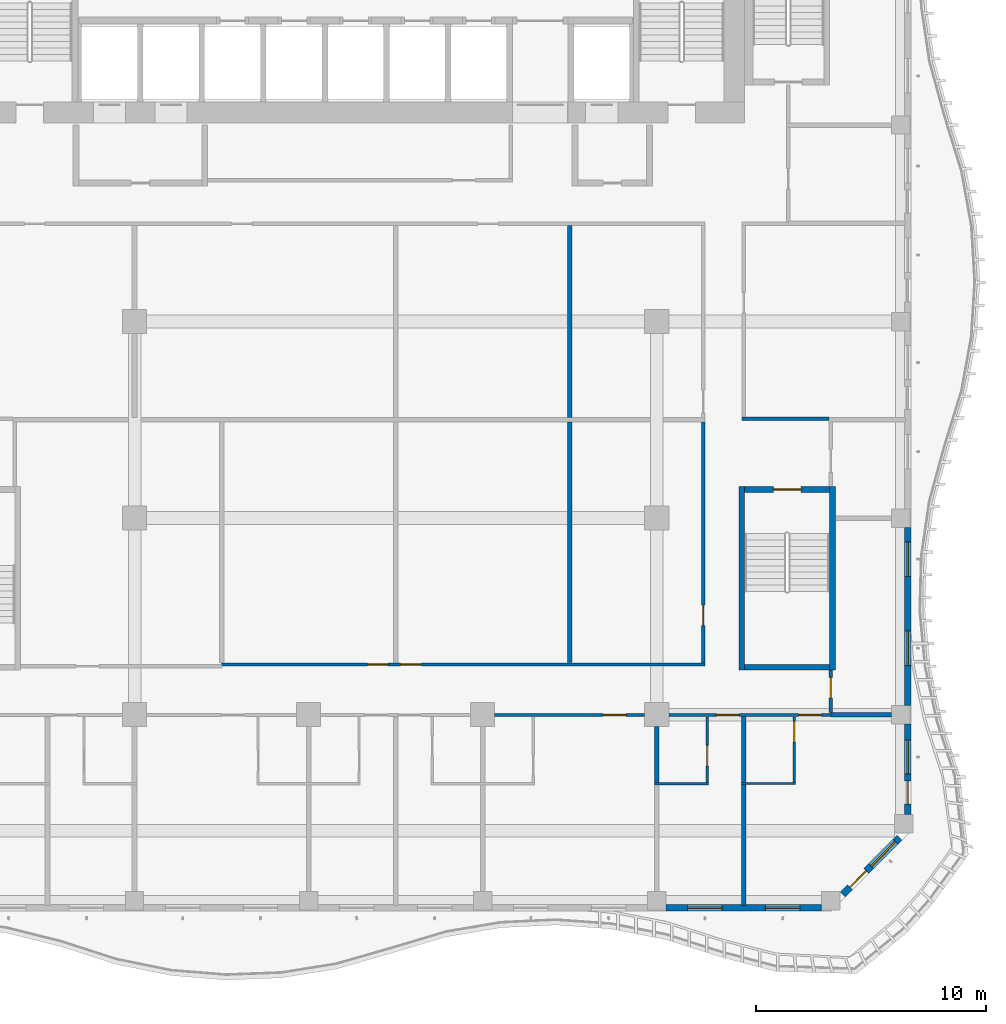
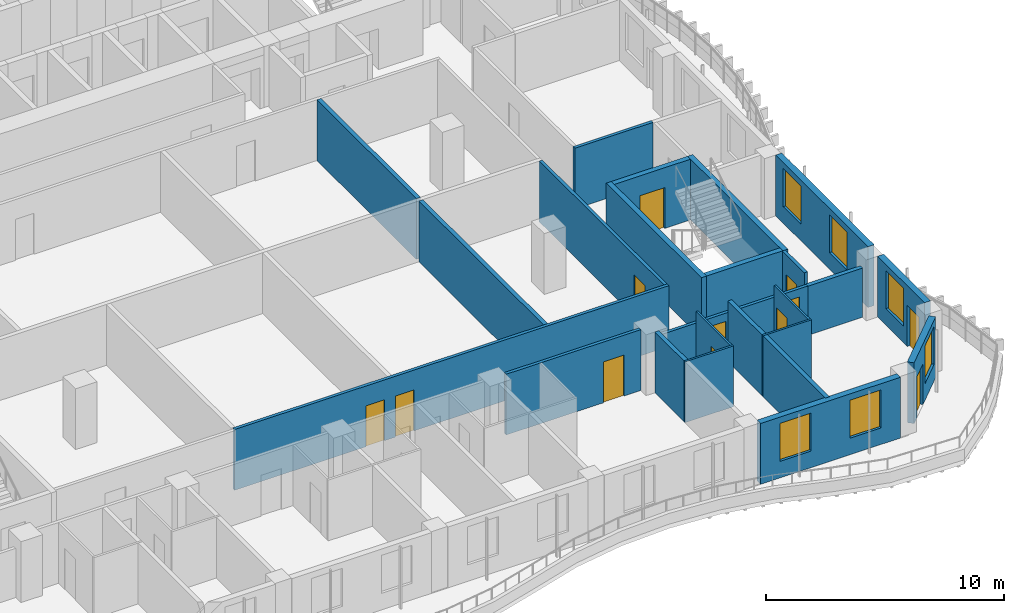
# One storey, part 5 of 23: 24 walls, 12 doors, 6 windows, 18 openings.
"""IFC4 building model written with IfcOpenShell, lengths in metres."""

from ifc_helpers import new_model, si_unit, direction, frame, frame_2d, origin, place, context, subcontext, project, spatial, rectangle, extrude, source, transform, mapped, material, layer, layer_set, type_object, element, fill, save


model = new_model("IFC4")

# Units and contexts
model_context = context("Model", 3, precision=1e-05, world=origin(), true_north=direction((0.0, 1.0)))
body_context = subcontext(model_context, "Body", "Model", "MODEL_VIEW")
ifc_project = project(units=[si_unit("LENGTHUNIT", "METRE"), si_unit("AREAUNIT", "SQUARE_METRE"), si_unit("VOLUMEUNIT", "CUBIC_METRE"), si_unit("PLANEANGLEUNIT", "RADIAN"), si_unit("MASSUNIT", "GRAM", prefix="KILO")], contexts=[model_context])

# Site, building, storey
site_placement = place(None, origin())
site = spatial("IfcSite", under=ifc_project, at=site_placement, CompositionType="ELEMENT")
building_placement = place(site_placement, origin())
building = spatial("IfcBuilding", under=site, at=building_placement, Name="Kilnfold Tower and Market Hall", CompositionType="ELEMENT")
storey_placement = place(building_placement, frame((0.0, 0.0, 178.699951171875)))
storey = spatial("IfcBuildingStorey", under=building, at=storey_placement, Name="L42", CompositionType="ELEMENT", Elevation=178.699951171875)

# Wall, opening, door
ifc_material_1 = material(Name="Gypsum board on steel studs", Category="steel")
ifc_layer_1 = layer(ifc_material_1, 0.14990234375)
ifc_layer_set_1 = layer_set([ifc_layer_1], Name="Gypsum board on steel studs")
wall_type_1 = type_object("IfcWallType", Name="WALL CORRIDOR 150", PredefinedType="PARTITIONING", material=ifc_layer_set_1)
wall_1_placement = place(storey_placement, frame((7.10791015625, -17.699951171875, 0.0), z_axis=(0.0, 0.0, 1.0), x_axis=(1.0, 0.0, 0.0)))
wall_1 = element("IfcWall", 1, at=wall_1_placement, inside=storey, type_object=wall_type_1, Name="Partition LY27.5", PredefinedType="PARTITIONING", context=body_context, shape_type="SweptSolid", body=[
    extrude(rectangle(XDim=6.5341796875, YDim=0.14990234375, at=frame_2d((3.26708984375, 0.0))), origin(), (0.0, 0.0, 1.0), 3.1201171875),
])
opening_1_placement = place(wall_1_placement, frame((4.721923828125, 0.0, 0.0)))
opening_1 = element("IfcOpeningElement", 2, at=opening_1_placement, cuts=wall_1, Name="Opening D1", PredefinedType="OPENING", context=body_context, shape_type="SweptSolid", body=[
    extrude(rectangle(XDim=1.0, YDim=2.10009765625, at=frame_2d((0.5, 1.050048828125))), frame((0.0, 0.0849609375, 0.0), z_axis=(0.0, -1.0, 0.0), x_axis=(1.0, 0.0, 0.0)), (0.0, 0.0, 1.0), 0.169921875),
])
ifc_material_2 = material(Name="Timber veneer door leaf in steel frame", Category="steel")
door_type_1 = type_object("IfcDoorType", Name="DOOR ENTRY 1000 X2100", OperationType="NOTDEFINED", PredefinedType="DOOR", material=ifc_material_2)
door_1_placement = place(opening_1_placement, origin())
door_1 = element("IfcDoor", 3, at=door_1_placement, inside=storey, type_object=door_type_1, Name="Door D1", OperationType="SINGLE_SWING_LEFT", OverallHeight=2.10009765625, OverallWidth=1.0, PredefinedType="DOOR", context=body_context, shape_type="SweptSolid", body=[
    extrude(rectangle(XDim=1.0, YDim=2.10009765625, at=frame_2d((0.5, 1.050048828125))), frame((0.0, 0.02490234375, 0.0), z_axis=(0.0, -1.0, 0.0), x_axis=(1.0, 0.0, 0.0)), (0.0, 0.0, 1.0), 0.050048828125),
])
fill(opening_1, door_1)

# Wall, openings, doors
wall_2_placement = place(storey_placement, frame((14.69189453125, -17.699951171875, 0.0), z_axis=(0.0, 0.0, 1.0), x_axis=(1.0, 0.0, 0.0)))
wall_2 = element("IfcWall", 4, at=wall_2_placement, inside=storey, type_object=wall_type_1, Name="Partition LY27.6", PredefinedType="PARTITIONING", context=body_context, shape_type="SweptSolid", body=[
    extrude(rectangle(XDim=7.05810546875, YDim=0.14990234375, at=frame_2d((3.529052734375, 0.0))), origin(), (0.0, 0.0, 1.0), 2.52001953125),
])
opening_2_placement = place(wall_2_placement, frame((2.076904296875, 0.0, 0.0)))
opening_2 = element("IfcOpeningElement", 5, at=opening_2_placement, cuts=wall_2, Name="Opening D1", PredefinedType="OPENING", context=body_context, shape_type="SweptSolid", body=[
    extrude(rectangle(XDim=1.0, YDim=2.10009765625, at=frame_2d((0.5, 1.050048828125))), frame((0.0, 0.0849609375, 0.0), z_axis=(0.0, -1.0, 0.0), x_axis=(1.0, 0.0, 0.0)), (0.0, 0.0, 1.0), 0.169921875),
])
opening_3_placement = place(wall_2_placement, frame((5.656982421875, 0.0, 0.0)))
opening_3 = element("IfcOpeningElement", 6, at=opening_3_placement, cuts=wall_2, Name="Opening D1", PredefinedType="OPENING", context=body_context, shape_type="SweptSolid", body=[
    extrude(rectangle(XDim=1.0, YDim=2.10009765625, at=frame_2d((0.5, 1.050048828125))), frame((0.0, 0.0849609375, 0.0), z_axis=(0.0, -1.0, 0.0), x_axis=(1.0, 0.0, 0.0)), (0.0, 0.0, 1.0), 0.169921875),
])
door_2_placement = place(opening_2_placement, origin())
door_2 = element("IfcDoor", 7, at=door_2_placement, inside=storey, type_object=door_type_1, Name="Door D1", OperationType="SINGLE_SWING_LEFT", OverallHeight=2.10009765625, OverallWidth=1.0, PredefinedType="DOOR", context=body_context, shape_type="SweptSolid", body=[
    extrude(rectangle(XDim=1.0, YDim=2.10009765625, at=frame_2d((0.5, 1.050048828125))), frame((0.0, 0.02490234375, 0.0), z_axis=(0.0, -1.0, 0.0), x_axis=(1.0, 0.0, 0.0)), (0.0, 0.0, 1.0), 0.050048828125),
])
fill(opening_2, door_2)
door_3_placement = place(opening_3_placement, origin())
door_3 = element("IfcDoor", 8, at=door_3_placement, inside=storey, type_object=door_type_1, Name="Door D1", OperationType="SINGLE_SWING_LEFT", OverallHeight=2.10009765625, OverallWidth=1.0, PredefinedType="DOOR", context=body_context, shape_type="SweptSolid", body=[
    extrude(rectangle(XDim=1.0, YDim=2.10009765625, at=frame_2d((0.5, 1.050048828125))), frame((0.0, 0.02490234375, 0.0), z_axis=(0.0, -1.0, 0.0), x_axis=(1.0, 0.0, 0.0)), (0.0, 0.0, 1.0), 0.050048828125),
])
fill(opening_3, door_3)

# Wall
wall_3_placement = place(storey_placement, frame((17.884033203125, -4.800048828125, 0.0), z_axis=(0.0, 0.0, 1.0), x_axis=(1.0, 0.0, 0.0)))
element("IfcWall", 9, at=wall_3_placement, inside=storey, type_object=wall_type_1, Name="Partition LY27.36", PredefinedType="PARTITIONING", context=body_context, shape_type="SweptSolid", body=[
    extrude(rectangle(XDim=3.79296875, YDim=0.14990234375, at=frame_2d((1.896484375, 0.0))), origin(), (0.0, 0.0, 1.0), 3.1201171875),
])

# Wall, opening, door
wall_4_placement = place(storey_placement, frame((21.75, -17.597900390625, 0.0), z_axis=(0.0, 0.0, 1.0), x_axis=(0.0, 1.0, 0.0)))
wall_4 = element("IfcWall", 10, at=wall_4_placement, inside=storey, type_object=wall_type_1, Name="Partition LY27.38", PredefinedType="PARTITIONING", context=body_context, shape_type="SweptSolid", body=[
    extrude(rectangle(XDim=1.847900390625, YDim=0.14990234375, at=frame_2d((0.923828125, 0.0))), origin(), (0.0, 0.0, 1.0), 3.1201171875),
])
opening_4_placement = place(wall_4_placement, frame((0.637939453125, 0.0, 0.0)))
opening_4 = element("IfcOpeningElement", 11, at=opening_4_placement, cuts=wall_4, Name="Opening D2", PredefinedType="OPENING", context=body_context, shape_type="SweptSolid", body=[
    extrude(rectangle(XDim=0.89990234375, YDim=2.10009765625, at=frame_2d((0.449951171875, 1.050048828125))), frame((0.0, 0.0849609375, 0.0), z_axis=(0.0, -1.0, 0.0), x_axis=(1.0, 0.0, 0.0)), (0.0, 0.0, 1.0), 0.169921875),
])
ifc_material_3 = material(Name="Timber veneer door leaf in steel frame", Category="steel")
door_type_2 = type_object("IfcDoorType", Name="DOOR ROOM 900 X2100", OperationType="NOTDEFINED", PredefinedType="DOOR", material=ifc_material_3)
door_4_placement = place(opening_4_placement, origin())
door_4 = element("IfcDoor", 12, at=door_4_placement, inside=storey, type_object=door_type_2, Name="Door D2", OperationType="SINGLE_SWING_LEFT", OverallHeight=2.10009765625, OverallWidth=0.89990234375, PredefinedType="DOOR", context=body_context, shape_type="SweptSolid", body=[
    extrude(rectangle(XDim=0.89990234375, YDim=2.10009765625, at=frame_2d((0.449951171875, 1.050048828125))), frame((0.0, 0.02490234375, 0.0), z_axis=(0.0, -1.0, 0.0), x_axis=(1.0, 0.0, 0.0)), (0.0, 0.0, 1.0), 0.050048828125),
])
fill(opening_4, door_4)

# Wall, openings, doors
wall_5_placement = place(storey_placement, frame((-4.802001953125, -15.5, 0.0), z_axis=(0.0, 0.0, 1.0), x_axis=(1.0, 0.0, 0.0)))
wall_5 = element("IfcWall", 13, at=wall_5_placement, inside=storey, type_object=wall_type_1, Name="Partition LY27.48", PredefinedType="PARTITIONING", context=body_context, shape_type="SweptSolid", body=[
    extrude(rectangle(XDim=21.076904296875, YDim=0.14990234375, at=frame_2d((10.53857421875, 0.0))), origin(), (0.0, 0.0, 1.0), 3.1201171875),
])
opening_5_placement = place(wall_5_placement, frame((6.3720703125, 0.0, 0.0)))
opening_5 = element("IfcOpeningElement", 14, at=opening_5_placement, cuts=wall_5, Name="Opening D2", PredefinedType="OPENING", context=body_context, shape_type="SweptSolid", body=[
    extrude(rectangle(XDim=0.89990234375, YDim=2.10009765625, at=frame_2d((0.449951171875, 1.050048828125))), frame((0.0, 0.0849609375, 0.0), z_axis=(0.0, -1.0, 0.0), x_axis=(1.0, 0.0, 0.0)), (0.0, 0.0, 1.0), 0.169921875),
])
opening_6_placement = place(wall_5_placement, frame((7.81494140625, 0.0, 0.0)))
opening_6 = element("IfcOpeningElement", 15, at=opening_6_placement, cuts=wall_5, Name="Opening D2", PredefinedType="OPENING", context=body_context, shape_type="SweptSolid", body=[
    extrude(rectangle(XDim=0.89990234375, YDim=2.10009765625, at=frame_2d((0.449951171875, 1.050048828125))), frame((0.0, 0.0849609375, 0.0), z_axis=(0.0, -1.0, 0.0), x_axis=(1.0, 0.0, 0.0)), (0.0, 0.0, 1.0), 0.169921875),
])
door_5_placement = place(opening_5_placement, origin())
door_5 = element("IfcDoor", 16, at=door_5_placement, inside=storey, type_object=door_type_2, Name="Door D2", OperationType="SINGLE_SWING_LEFT", OverallHeight=2.10009765625, OverallWidth=0.89990234375, PredefinedType="DOOR", context=body_context, shape_type="SweptSolid", body=[
    extrude(rectangle(XDim=0.89990234375, YDim=2.10009765625, at=frame_2d((0.449951171875, 1.050048828125))), frame((0.0, 0.02490234375, 0.0), z_axis=(0.0, -1.0, 0.0), x_axis=(1.0, 0.0, 0.0)), (0.0, 0.0, 1.0), 0.050048828125),
])
fill(opening_5, door_5)
door_6_placement = place(opening_6_placement, origin())
door_6 = element("IfcDoor", 17, at=door_6_placement, inside=storey, type_object=door_type_2, Name="Door D2", OperationType="SINGLE_SWING_LEFT", OverallHeight=2.10009765625, OverallWidth=0.89990234375, PredefinedType="DOOR", context=body_context, shape_type="SweptSolid", body=[
    extrude(rectangle(XDim=0.89990234375, YDim=2.10009765625, at=frame_2d((0.449951171875, 1.050048828125))), frame((0.0, 0.02490234375, 0.0), z_axis=(0.0, -1.0, 0.0), x_axis=(1.0, 0.0, 0.0)), (0.0, 0.0, 1.0), 0.050048828125),
])
fill(opening_6, door_6)

# Wall, opening, door
wall_6_placement = place(storey_placement, frame((16.199951171875, -15.425048828125, 0.0), z_axis=(0.0, 0.0, 1.0), x_axis=(0.0, 1.0, 0.0)))
wall_6 = element("IfcWall", 18, at=wall_6_placement, inside=storey, type_object=wall_type_1, Name="Partition LY27.49", PredefinedType="PARTITIONING", context=body_context, shape_type="SweptSolid", body=[
    extrude(rectangle(XDim=10.491943359375, YDim=0.14990234375, at=frame_2d((5.24609375, 0.0))), origin(), (0.0, 0.0, 1.0), 3.1201171875),
])
opening_7_placement = place(wall_6_placement, frame((1.614013671875, 0.0, 0.0)))
opening_7 = element("IfcOpeningElement", 19, at=opening_7_placement, cuts=wall_6, Name="Opening D2", PredefinedType="OPENING", context=body_context, shape_type="SweptSolid", body=[
    extrude(rectangle(XDim=0.89990234375, YDim=2.10009765625, at=frame_2d((0.449951171875, 1.050048828125))), frame((0.0, 0.0849609375, 0.0), z_axis=(0.0, -1.0, 0.0), x_axis=(1.0, 0.0, 0.0)), (0.0, 0.0, 1.0), 0.169921875),
])
door_7_placement = place(opening_7_placement, origin())
door_7 = element("IfcDoor", 20, at=door_7_placement, inside=storey, type_object=door_type_2, Name="Door D2", OperationType="SINGLE_SWING_RIGHT", OverallHeight=2.10009765625, OverallWidth=0.89990234375, PredefinedType="DOOR", context=body_context, shape_type="SweptSolid", body=[
    extrude(rectangle(XDim=0.89990234375, YDim=2.10009765625, at=frame_2d((0.449951171875, 1.050048828125))), frame((0.0, 0.02490234375, 0.0), z_axis=(0.0, -1.0, 0.0), x_axis=(1.0, 0.0, 0.0)), (0.0, 0.0, 1.0), 0.050048828125),
])
fill(opening_7, door_7)

ifc_material_4 = material(Name="Gypsum board on steel studs", Category="steel")
ifc_layer_2 = layer(ifc_material_4, 0.10009765625)
ifc_layer_set_2 = layer_set([ifc_layer_2], Name="Gypsum board on steel studs")
wall_type_2 = type_object("IfcWallType", Name="WALL PARTITION 100", PredefinedType="PARTITIONING", material=ifc_layer_set_2)
wall_7_placement = place(storey_placement, frame((16.366943359375, -17.777099609375, 0.0), z_axis=(0.0, 0.0, 1.0), x_axis=(0.0, -1.0, 0.0)))
wall_7 = element("IfcWall", 21, at=wall_7_placement, inside=storey, type_object=wall_type_2, Name="Partition LY27.76", PredefinedType="PARTITIONING", context=body_context, shape_type="SweptSolid", body=[
    extrude(rectangle(XDim=2.875, YDim=0.10009765625, at=frame_2d((1.4375, 0.0))), origin(), (0.0, 0.0, 1.0), 3.1201171875),
])
opening_8_placement = place(wall_7_placement, frame((1.25, 0.0, 0.0)))
opening_8 = element("IfcOpeningElement", 22, at=opening_8_placement, cuts=wall_7, Name="Opening D3", PredefinedType="OPENING", context=body_context, shape_type="SweptSolid", body=[
    extrude(rectangle(XDim=0.89990234375, YDim=2.10009765625, at=frame_2d((0.449951171875, 1.050048828125))), frame((0.0, 0.06005859375, 0.0), z_axis=(0.0, -1.0, 0.0), x_axis=(1.0, 0.0, 0.0)), (0.0, 0.0, 1.0), 0.1201171875),
])
ifc_material_5 = material(Name="Timber veneer door leaf in steel frame", Category="steel")
door_type_3 = type_object("IfcDoorType", Name="DOOR WC 900 X2100", OperationType="NOTDEFINED", PredefinedType="DOOR", material=ifc_material_5)
door_8_placement = place(opening_8_placement, origin())
door_8 = element("IfcDoor", 23, at=door_8_placement, inside=storey, type_object=door_type_3, Name="Door D3", OperationType="SINGLE_SWING_LEFT", OverallHeight=2.10009765625, OverallWidth=0.89990234375, PredefinedType="DOOR", context=body_context, shape_type="SweptSolid", body=[
    extrude(rectangle(XDim=0.89990234375, YDim=2.10009765625, at=frame_2d((0.449951171875, 1.050048828125))), frame((0.0, 0.02490234375, 0.0), z_axis=(0.0, -1.0, 0.0), x_axis=(1.0, 0.0, 0.0)), (0.0, 0.0, 1.0), 0.050048828125),
])
fill(opening_8, door_8)

# Walls
for number, where, z_axis, x_axis, name in (
    (24, (14.06689453125, -20.701904296875, 0.0), (0.0, 0.0, 1.0), (1.0, 0.0, 0.0), "Partition LY27.77"),
    (25, (17.85888671875, -20.68798828125, 0.0), (0.0, 0.0, 1.0), (1.0, 0.0, 0.0), "Partition LY27.80"),
):
    element("IfcWall", number, at=place(storey_placement, frame(where, z_axis=z_axis, x_axis=x_axis)), inside=storey, type_object=wall_type_2, Name=name, PredefinedType="PARTITIONING", context=body_context, shape_type="SweptSolid", body=[
        extrude(rectangle(XDim=2.35009765625, YDim=0.10009765625, at=frame_2d((1.175048828125, 0.0))), origin(), (0.0, 0.0, 1.0), 3.1201171875),
    ])

# Wall, opening, door
wall_8_placement = place(storey_placement, frame((20.158935546875, -17.777099609375, 0.0), z_axis=(0.0, 0.0, 1.0), x_axis=(0.0, -1.0, 0.0)))
wall_8 = element("IfcWall", 26, at=wall_8_placement, inside=storey, type_object=wall_type_2, Name="Partition LY27.81", PredefinedType="PARTITIONING", context=body_context, shape_type="SweptSolid", body=[
    extrude(rectangle(XDim=2.86083984375, YDim=0.10009765625, at=frame_2d((1.430419921875, 0.0))), origin(), (0.0, 0.0, 1.0), 3.1201171875),
])
opening_9_placement = place(wall_8_placement, frame((0.199951171875, 0.0, 0.0)))
opening_9 = element("IfcOpeningElement", 27, at=opening_9_placement, cuts=wall_8, Name="Opening D3", PredefinedType="OPENING", context=body_context, shape_type="SweptSolid", body=[
    extrude(rectangle(XDim=0.89990234375, YDim=2.10009765625, at=frame_2d((0.449951171875, 1.050048828125))), frame((0.0, 0.06005859375, 0.0), z_axis=(0.0, -1.0, 0.0), x_axis=(1.0, 0.0, 0.0)), (0.0, 0.0, 1.0), 0.1201171875),
])
door_9_placement = place(opening_9_placement, origin())
door_9 = element("IfcDoor", 28, at=door_9_placement, inside=storey, type_object=door_type_3, Name="Door D3", OperationType="SINGLE_SWING_LEFT", OverallHeight=2.10009765625, OverallWidth=0.89990234375, PredefinedType="DOOR", context=body_context, shape_type="SweptSolid", body=[
    extrude(rectangle(XDim=0.89990234375, YDim=2.10009765625, at=frame_2d((0.449951171875, 1.050048828125))), frame((0.0, 0.02490234375, 0.0), z_axis=(0.0, -1.0, 0.0), x_axis=(1.0, 0.0, 0.0)), (0.0, 0.0, 1.0), 0.050048828125),
])
fill(opening_9, door_9)

# Walls
ifc_material_6 = material(Name="Gypsum board on steel studs", Category="steel")
ifc_layer_3 = layer(ifc_material_6, 0.199951171875)
ifc_layer_set_3 = layer_set([ifc_layer_3], Name="Gypsum board on steel studs")
wall_type_3 = type_object("IfcWallType", Name="WALL PARTY 200", PredefinedType="PARTITIONING", material=ifc_layer_set_3)
wall_9_placement = place(storey_placement, frame((14.1669921875, -20.662109375, 0.0), z_axis=(0.0, 0.0, 1.0), x_axis=(0.0, 1.0, 0.0)))
element("IfcWall", 29, at=wall_9_placement, inside=storey, type_object=wall_type_3, Name="Partition LY27.75", PredefinedType="PARTITIONING", context=body_context, shape_type="SweptSolid", body=[
    extrude(rectangle(XDim=2.4501953125, YDim=0.199951171875, at=frame_2d((1.22509765625, 0.0))), origin(), (0.0, 0.0, 1.0), 3.1201171875),
])
wall_10_placement = place(storey_placement, frame((17.958984375, -26.0, 0.0), z_axis=(0.0, 0.0, 1.0), x_axis=(0.0, 1.0, 0.0)))
element("IfcWall", 30, at=wall_10_placement, inside=storey, type_object=wall_type_3, Name="Partition LY27.78", PredefinedType="PARTITIONING", context=body_context, shape_type="SweptSolid", body=[
    extrude(rectangle(XDim=5.27197265625, YDim=0.199951171875, at=frame_2d((2.635986328125, 0.0))), origin(), (0.0, 0.0, 1.0), 3.1201171875),
])
wall_11_placement = place(storey_placement, frame((17.958984375, -20.64794921875, 0.0), z_axis=(0.0, 0.0, 1.0), x_axis=(0.0, 1.0, 0.0)))
element("IfcWall", 31, at=wall_11_placement, inside=storey, type_object=wall_type_3, Name="Partition LY27.79", PredefinedType="PARTITIONING", context=body_context, shape_type="SweptSolid", body=[
    extrude(rectangle(XDim=2.870849609375, YDim=0.199951171875, at=frame_2d((1.435546875, 0.0))), origin(), (0.0, 0.0, 1.0), 3.1201171875),
])
wall_12_placement = place(storey_placement, frame((21.751953125, -17.68798828125, 0.0), z_axis=(0.0, 0.0, 1.0), x_axis=(1.0, 0.0, 0.0)))
element("IfcWall", 32, at=wall_12_placement, inside=storey, type_object=wall_type_3, Name="Partition LY27.82", PredefinedType="PARTITIONING", context=body_context, shape_type="SweptSolid", body=[
    extrude(rectangle(XDim=2.64794921875, YDim=0.199951171875, at=frame_2d((1.323974609375, 0.0))), origin(), (0.0, 0.0, 1.0), 2.52001953125),
])
wall_13_placement = place(storey_placement, frame((10.375, -4.742919921875, 0.0), z_axis=(0.0, 0.0, 1.0), x_axis=(0.0, 1.0, 0.0)))
element("IfcWall", 33, at=wall_13_placement, inside=storey, type_object=wall_type_3, Name="Partition LY27.121", PredefinedType="PARTITIONING", context=body_context, shape_type="SweptSolid", body=[
    extrude(rectangle(XDim=8.365966796875, YDim=0.199951171875, at=frame_2d((4.18310546875, 0.0))), origin(), (0.0, 0.0, 1.0), 3.1201171875),
])
wall_14_placement = place(storey_placement, frame((10.375, -15.423095703125, 0.0), z_axis=(0.0, 0.0, 1.0), x_axis=(0.0, 1.0, 0.0)))
element("IfcWall", 34, at=wall_14_placement, inside=storey, type_object=wall_type_3, Name="Partition LY27.124", PredefinedType="PARTITIONING", context=body_context, shape_type="SweptSolid", body=[
    extrude(rectangle(XDim=10.47998046875, YDim=0.199951171875, at=frame_2d((5.239990234375, 0.0))), origin(), (0.0, 0.0, 1.0), 3.1201171875),
])
ifc_material_7 = material(Name="Concrete C70", Category="concrete")
ifc_layer_4 = layer(ifc_material_7, 0.25)
ifc_layer_set_4 = layer_set([ifc_layer_4], Name="Concrete C70")
wall_type_4 = type_object("IfcWallType", Name="CORE WALL 250 C70", PredefinedType="SHEAR", material=ifc_layer_set_4)
shared_shape_1 = source(origin(), body_context, "Body", "SweptSolid", [
    extrude(rectangle(XDim=3.699951171875, YDim=0.25, at=frame_2d((1.85009765625, 0.0))), origin(), (0.0, 0.0, 1.0), 3.1201171875),
])
wall_15_placement = place(storey_placement, frame((18.0, -15.625, 0.0), z_axis=(0.0, 0.0, 1.0), x_axis=(1.0, 0.0, 0.0)))
element("IfcWall", 35, at=wall_15_placement, inside=storey, type_object=wall_type_4, Name="Stair enclosure ST4", PredefinedType="SHEAR", context=body_context, shape_type="MappedRepresentation", body=[
    mapped(shared_shape_1, transform((0.0, 0.0, 0.0))),
])

# Wall, opening, door
wall_16_placement = place(storey_placement, frame((18.0, -7.875, 0.0), z_axis=(0.0, 0.0, 1.0), x_axis=(1.0, 0.0, 0.0)))
wall_16 = element("IfcWall", 36, at=wall_16_placement, inside=storey, type_object=wall_type_4, Name="Stair enclosure ST4", PredefinedType="SHEAR", context=body_context, shape_type="MappedRepresentation", body=[
    mapped(shared_shape_1, transform((0.0, 0.0, 0.0))),
])
opening_10_placement = place(wall_16_placement, frame((1.25, 0.0, 0.0)))
opening_10 = element("IfcOpeningElement", 37, at=opening_10_placement, cuts=wall_16, Name="Opening SD1", PredefinedType="OPENING", context=body_context, shape_type="SweptSolid", body=[
    extrude(rectangle(XDim=1.199951171875, YDim=2.10009765625, at=frame_2d((0.60009765625, 1.050048828125))), frame((0.0, 0.135009765625, 0.0), z_axis=(0.0, -1.0, 0.0), x_axis=(1.0, 0.0, 0.0)), (0.0, 0.0, 1.0), 0.27001953125),
])
ifc_material_8 = material(Name="Steel door set with fire-resisting leaf", Category="steel")
door_type_4 = type_object("IfcDoorType", Name="STAIR FLOOR DOOR 1200X2100", OperationType="NOTDEFINED", PredefinedType="DOOR", material=ifc_material_8)
door_10_placement = place(opening_10_placement, origin())
door_10 = element("IfcDoor", 38, at=door_10_placement, inside=storey, type_object=door_type_4, Name="Exit stair ST4 door", OperationType="DOUBLE_DOOR_SINGLE_SWING", OverallHeight=2.10009765625, OverallWidth=1.199951171875, PredefinedType="DOOR", context=body_context, shape_type="SweptSolid", body=[
    extrude(rectangle(XDim=1.199951171875, YDim=2.10009765625, at=frame_2d((0.60009765625, 1.050048828125))), frame((0.0, 0.02490234375, 0.0), z_axis=(0.0, -1.0, 0.0), x_axis=(1.0, 0.0, 0.0)), (0.0, 0.0, 1.0), 0.050048828125),
])
fill(opening_10, door_10)

# Walls
shared_shape_2 = source(origin(), body_context, "Body", "SweptSolid", [
    extrude(rectangle(XDim=8.0, YDim=0.25, at=frame_2d((4.0, 0.0))), origin(), (0.0, 0.0, 1.0), 3.1201171875),
])
for number, where, z_axis, x_axis, name in (
    (39, (17.875, -15.75, 0.0), (0.0, 0.0, 1.0), (0.0, 1.0, 0.0), "Stair enclosure ST4"),
    (40, (21.824951171875, -15.75, 0.0), (0.0, 0.0, 1.0), (0.0, 1.0, 0.0), "Stair enclosure ST4"),
):
    element("IfcWall", number, at=place(storey_placement, frame(where, z_axis=z_axis, x_axis=x_axis)), inside=storey, type_object=wall_type_4, Name=name, PredefinedType="SHEAR", context=body_context, shape_type="MappedRepresentation", body=[
        mapped(shared_shape_2, transform((0.0, 0.0, 0.0))),
    ])

# Wall, openings, windows
ifc_material_9 = material(Name="Precast concrete C50/60", Category="concrete")
ifc_layer_5 = layer(ifc_material_9, 0.300048828125)
ifc_layer_set_5 = layer_set([ifc_layer_5], Name="Precast concrete C50/60")
wall_type_5 = type_object("IfcWallType", Name="PRECAST WALL 300", PredefinedType="SOLIDWALL", material=ifc_layer_set_5)
shared_shape_3 = source(origin(), body_context, "Body", "SweptSolid", [
    extrude(rectangle(XDim=6.783447265625, YDim=0.300048828125, at=frame_2d((3.3916015625, 0.0))), origin(), (0.0, 0.0, 1.0), 3.1201171875),
])
wall_17_placement = place(storey_placement, frame((14.566650390625, -26.10009765625, 0.0), z_axis=(0.0, 0.0, 1.0), x_axis=(1.0, 0.0, 0.0)))
wall_17 = element("IfcWall", 41, at=wall_17_placement, inside=storey, type_object=wall_type_5, Name="External wall L42 S", PredefinedType="SOLIDWALL", context=body_context, shape_type="MappedRepresentation", body=[
    mapped(shared_shape_3, transform((0.0, 0.0, 0.0))),
])
opening_11_placement = place(wall_17_placement, frame((0.94580078125, 0.0, 0.85009765625)))
opening_11 = element("IfcOpeningElement", 42, at=opening_11_placement, cuts=wall_17, Name="Opening W4", PredefinedType="OPENING", context=body_context, shape_type="SweptSolid", body=[
    extrude(rectangle(XDim=1.5, YDim=1.949951171875, at=frame_2d((0.75, 0.97509765625))), frame((0.0, 0.16015625, 0.0), z_axis=(0.0, -1.0, 0.0), x_axis=(1.0, 0.0, 0.0)), (0.0, 0.0, 1.0), 0.320068359375),
])
opening_12_placement = place(wall_17_placement, frame((4.33740234375, 0.0, 0.85009765625)))
opening_12 = element("IfcOpeningElement", 43, at=opening_12_placement, cuts=wall_17, Name="Opening W4", PredefinedType="OPENING", context=body_context, shape_type="SweptSolid", body=[
    extrude(rectangle(XDim=1.5, YDim=1.949951171875, at=frame_2d((0.75, 0.97509765625))), frame((0.0, 0.16015625, 0.0), z_axis=(0.0, -1.0, 0.0), x_axis=(1.0, 0.0, 0.0)), (0.0, 0.0, 1.0), 0.320068359375),
])
ifc_material_10 = material(Name="Aluminium frame and double glazing", Category="aluminium")
window_type = type_object("IfcWindowType", Name="WINDOW W4 1500X1950", PartitioningType="SINGLE_PANEL", PredefinedType="WINDOW", material=ifc_material_10)
window_1_placement = place(opening_11_placement, origin())
window_1 = element("IfcWindow", 44, at=window_1_placement, inside=storey, type_object=window_type, Name="Window W4 L42 S-1", OverallHeight=1.949951171875, OverallWidth=1.5, PartitioningType="SINGLE_PANEL", PredefinedType="WINDOW", context=body_context, shape_type="SweptSolid", body=[
    extrude(rectangle(XDim=1.5, YDim=1.949951171875, at=frame_2d((0.75, 0.97509765625))), frame((0.0, 0.030029296875, 0.0), z_axis=(0.0, -1.0, 0.0), x_axis=(1.0, 0.0, 0.0)), (0.0, 0.0, 1.0), 0.06005859375),
])
fill(opening_11, window_1)
window_2_placement = place(opening_12_placement, origin())
window_2 = element("IfcWindow", 45, at=window_2_placement, inside=storey, type_object=window_type, Name="Window W4 L42 S-2", OverallHeight=1.949951171875, OverallWidth=1.5, PartitioningType="SINGLE_PANEL", PredefinedType="WINDOW", context=body_context, shape_type="SweptSolid", body=[
    extrude(rectangle(XDim=1.5, YDim=1.949951171875, at=frame_2d((0.75, 0.97509765625))), frame((0.0, 0.030029296875, 0.0), z_axis=(0.0, -1.0, 0.0), x_axis=(1.0, 0.0, 0.0)), (0.0, 0.0, 1.0), 0.06005859375),
])
fill(opening_12, window_2)

# Wall, openings, door, window
shared_shape_4 = source(origin(), body_context, "Body", "SweptSolid", [
    extrude(rectangle(XDim=3.500244140625, YDim=0.300048828125, at=frame_2d((1.75, 0.0))), origin(), (0.0, 0.0, 1.0), 3.1201171875),
])
wall_18_placement = place(storey_placement, frame((22.268798828125, -25.518798828125, 0.0), z_axis=(0.0, 0.0, 1.0), x_axis=(0.707141656123, 0.70707190453, 0.0)))
wall_18 = element("IfcWall", 46, at=wall_18_placement, inside=storey, type_object=wall_type_5, Name="External wall L42 SE", PredefinedType="SOLIDWALL", context=body_context, shape_type="MappedRepresentation", body=[
    mapped(shared_shape_4, transform((0.0, 0.0, 0.0))),
])
opening_13_placement = place(wall_18_placement, frame((1.75, 0.0, 0.85009765625)))
opening_13 = element("IfcOpeningElement", 47, at=opening_13_placement, cuts=wall_18, Name="Opening W4", PredefinedType="OPENING", context=body_context, shape_type="SweptSolid", body=[
    extrude(rectangle(XDim=1.5, YDim=1.949951171875, at=frame_2d((0.75, 0.97509765625))), frame((0.0, 0.16015625, 0.0), z_axis=(0.0, -1.0, 0.0), x_axis=(1.0, 0.0, 0.0)), (0.0, 0.0, 1.0), 0.320068359375),
])
opening_14_placement = place(wall_18_placement, frame((0.449951171875, 0.0, 0.0)))
opening_14 = element("IfcOpeningElement", 48, at=opening_14_placement, cuts=wall_18, Name="Opening BD1", PredefinedType="OPENING", context=body_context, shape_type="SweptSolid", body=[
    extrude(rectangle(XDim=1.0, YDim=2.10009765625, at=frame_2d((0.5, 1.050048828125))), frame((0.0, 0.16015625, 0.0), z_axis=(0.0, -1.0, 0.0), x_axis=(1.0, 0.0, 0.0)), (0.0, 0.0, 1.0), 0.320068359375),
])
ifc_material_11 = material(Name="Aluminium frame and double glazing", Category="aluminium")
door_type_5 = type_object("IfcDoorType", Name="BALCONY DOOR 1000X2100", OperationType="NOTDEFINED", PredefinedType="DOOR", material=ifc_material_11)
door_11_placement = place(opening_14_placement, origin())
door_11 = element("IfcDoor", 49, at=door_11_placement, inside=storey, type_object=door_type_5, Name="Balcony door BD1 L42 SE-1", OperationType="SINGLE_SWING_LEFT", OverallHeight=2.10009765625, OverallWidth=1.0, PredefinedType="DOOR", context=body_context, shape_type="SweptSolid", body=[
    extrude(rectangle(XDim=1.0, YDim=2.10009765625, at=frame_2d((0.5, 1.050048828125))), frame((0.0, 0.02490234375, 0.0), z_axis=(0.0, -1.0, 0.0), x_axis=(1.0, 0.0, 0.0)), (0.0, 0.0, 1.0), 0.050048828125),
])
fill(opening_14, door_11)
window_3_placement = place(opening_13_placement, origin())
window_3 = element("IfcWindow", 50, at=window_3_placement, inside=storey, type_object=window_type, Name="Window W4 L42 SE-1", OverallHeight=1.949951171875, OverallWidth=1.5, PartitioningType="SINGLE_PANEL", PredefinedType="WINDOW", context=body_context, shape_type="SweptSolid", body=[
    extrude(rectangle(XDim=1.5, YDim=1.949951171875, at=frame_2d((0.75, 0.97509765625))), frame((0.0, 0.030029296875, 0.0), z_axis=(0.0, -1.0, 0.0), x_axis=(1.0, 0.0, 0.0)), (0.0, 0.0, 1.0), 0.06005859375),
])
fill(opening_13, window_3)

shared_shape_5 = source(origin(), body_context, "Body", "SweptSolid", [
    extrude(rectangle(XDim=3.9443359375, YDim=0.300048828125, at=frame_2d((1.97216796875, 0.0))), origin(), (0.0, 0.0, 1.0), 3.1201171875),
])
wall_19_placement = place(storey_placement, frame((25.10009765625, -22.03173828125, 0.0), z_axis=(0.0, 0.0, 1.0), x_axis=(0.0, 1.0, 0.0)))
wall_19 = element("IfcWall", 51, at=wall_19_placement, inside=storey, type_object=wall_type_5, Name="External wall L42 E", PredefinedType="SOLIDWALL", context=body_context, shape_type="MappedRepresentation", body=[
    mapped(shared_shape_5, transform((0.0, 0.0, 0.0))),
])
opening_15_placement = place(wall_19_placement, frame((1.75, 0.0, 0.85009765625)))
opening_15 = element("IfcOpeningElement", 52, at=opening_15_placement, cuts=wall_19, Name="Opening W4", PredefinedType="OPENING", context=body_context, shape_type="SweptSolid", body=[
    extrude(rectangle(XDim=1.5, YDim=1.949951171875, at=frame_2d((0.75, 0.97509765625))), frame((0.0, 0.16015625, 0.0), z_axis=(0.0, -1.0, 0.0), x_axis=(1.0, 0.0, 0.0)), (0.0, 0.0, 1.0), 0.320068359375),
])
opening_16_placement = place(wall_19_placement, frame((0.449951171875, 0.0, 0.0)))
opening_16 = element("IfcOpeningElement", 53, at=opening_16_placement, cuts=wall_19, Name="Opening BD1", PredefinedType="OPENING", context=body_context, shape_type="SweptSolid", body=[
    extrude(rectangle(XDim=1.0, YDim=2.10009765625, at=frame_2d((0.5, 1.050048828125))), frame((0.0, 0.16015625, 0.0), z_axis=(0.0, -1.0, 0.0), x_axis=(1.0, 0.0, 0.0)), (0.0, 0.0, 1.0), 0.320068359375),
])
door_12_placement = place(opening_16_placement, origin())
door_12 = element("IfcDoor", 54, at=door_12_placement, inside=storey, type_object=door_type_5, Name="Balcony door BD1 L42 E-1", OperationType="SINGLE_SWING_LEFT", OverallHeight=2.10009765625, OverallWidth=1.0, PredefinedType="DOOR", context=body_context, shape_type="SweptSolid", body=[
    extrude(rectangle(XDim=1.0, YDim=2.10009765625, at=frame_2d((0.5, 1.050048828125))), frame((0.0, 0.02490234375, 0.0), z_axis=(0.0, -1.0, 0.0), x_axis=(1.0, 0.0, 0.0)), (0.0, 0.0, 1.0), 0.050048828125),
])
fill(opening_16, door_12)
window_4_placement = place(opening_15_placement, origin())
window_4 = element("IfcWindow", 55, at=window_4_placement, inside=storey, type_object=window_type, Name="Window W4 L42 E-1", OverallHeight=1.949951171875, OverallWidth=1.5, PartitioningType="SINGLE_PANEL", PredefinedType="WINDOW", context=body_context, shape_type="SweptSolid", body=[
    extrude(rectangle(XDim=1.5, YDim=1.949951171875, at=frame_2d((0.75, 0.97509765625))), frame((0.0, 0.030029296875, 0.0), z_axis=(0.0, -1.0, 0.0), x_axis=(1.0, 0.0, 0.0)), (0.0, 0.0, 1.0), 0.06005859375),
])
fill(opening_15, window_4)

# Wall, openings, windows
shared_shape_6 = source(origin(), body_context, "Body", "SweptSolid", [
    extrude(rectangle(XDim=7.7626953125, YDim=0.300048828125, at=frame_2d((3.88134765625, 0.0))), origin(), (0.0, 0.0, 1.0), 3.1201171875),
])
wall_20_placement = place(storey_placement, frame((25.10009765625, -17.28759765625, 0.0), z_axis=(0.0, 0.0, 1.0), x_axis=(0.0, 1.0, 0.0)))
wall_20 = element("IfcWall", 56, at=wall_20_placement, inside=storey, type_object=wall_type_5, Name="External wall L42 E", PredefinedType="SOLIDWALL", context=body_context, shape_type="MappedRepresentation", body=[
    mapped(shared_shape_6, transform((0.0, 0.0, 0.0))),
])
opening_17_placement = place(wall_20_placement, frame((1.75, 0.0, 0.85009765625)))
opening_17 = element("IfcOpeningElement", 57, at=opening_17_placement, cuts=wall_20, Name="Opening W4", PredefinedType="OPENING", context=body_context, shape_type="SweptSolid", body=[
    extrude(rectangle(XDim=1.5, YDim=1.949951171875, at=frame_2d((0.75, 0.97509765625))), frame((0.0, 0.16015625, 0.0), z_axis=(0.0, -1.0, 0.0), x_axis=(1.0, 0.0, 0.0)), (0.0, 0.0, 1.0), 0.320068359375),
])
opening_18_placement = place(wall_20_placement, frame((5.63134765625, 0.0, 0.85009765625)))
opening_18 = element("IfcOpeningElement", 58, at=opening_18_placement, cuts=wall_20, Name="Opening W4", PredefinedType="OPENING", context=body_context, shape_type="SweptSolid", body=[
    extrude(rectangle(XDim=1.5, YDim=1.949951171875, at=frame_2d((0.75, 0.97509765625))), frame((0.0, 0.16015625, 0.0), z_axis=(0.0, -1.0, 0.0), x_axis=(1.0, 0.0, 0.0)), (0.0, 0.0, 1.0), 0.320068359375),
])
window_5_placement = place(opening_17_placement, origin())
window_5 = element("IfcWindow", 59, at=window_5_placement, inside=storey, type_object=window_type, Name="Window W4 L42 E-1", OverallHeight=1.949951171875, OverallWidth=1.5, PartitioningType="SINGLE_PANEL", PredefinedType="WINDOW", context=body_context, shape_type="SweptSolid", body=[
    extrude(rectangle(XDim=1.5, YDim=1.949951171875, at=frame_2d((0.75, 0.97509765625))), frame((0.0, 0.030029296875, 0.0), z_axis=(0.0, -1.0, 0.0), x_axis=(1.0, 0.0, 0.0)), (0.0, 0.0, 1.0), 0.06005859375),
])
fill(opening_17, window_5)
window_6_placement = place(opening_18_placement, origin())
window_6 = element("IfcWindow", 60, at=window_6_placement, inside=storey, type_object=window_type, Name="Window W4 L42 E-2", OverallHeight=1.949951171875, OverallWidth=1.5, PartitioningType="SINGLE_PANEL", PredefinedType="WINDOW", context=body_context, shape_type="SweptSolid", body=[
    extrude(rectangle(XDim=1.5, YDim=1.949951171875, at=frame_2d((0.75, 0.97509765625))), frame((0.0, 0.030029296875, 0.0), z_axis=(0.0, -1.0, 0.0), x_axis=(1.0, 0.0, 0.0)), (0.0, 0.0, 1.0), 0.06005859375),
])
fill(opening_18, window_6)

save(model, "model.ifc")
